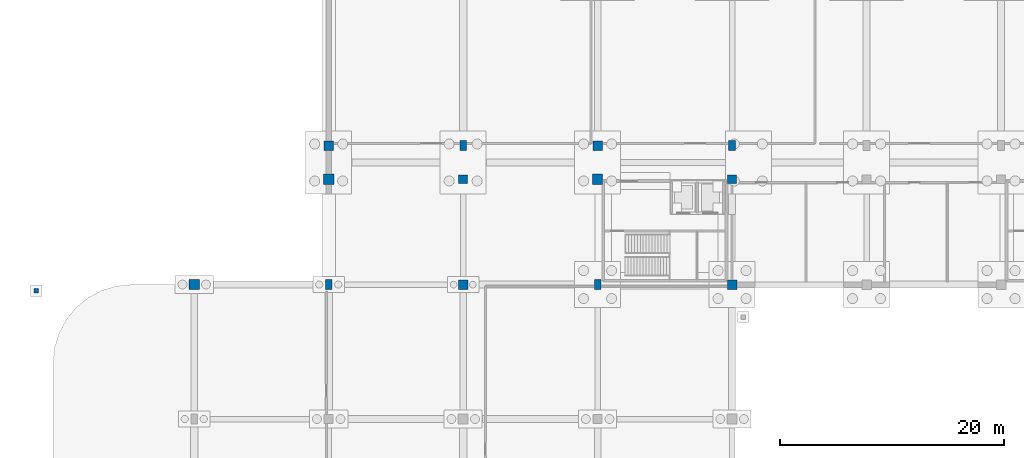
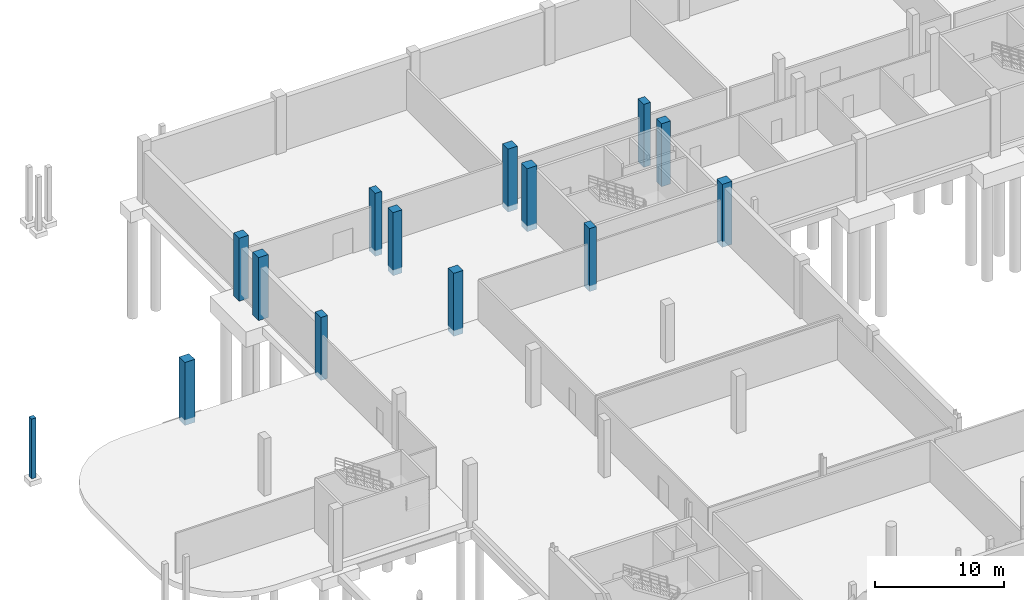
# One storey, part 19 of 42: 14 columns.
"""IFC4 building model written with IfcOpenShell, lengths in metres."""

from ifc_helpers import new_model, si_unit, direction, frame, origin, origin_2d, place, context, subcontext, project, spatial, rectangle, extrude, material, material_profile, profile_set, type_object, element, save


model = new_model("IFC4")

# Units and contexts
model_context = context("Model", 3, precision=1e-05, world=origin(), true_north=direction((0.0, 1.0)))
body_context = subcontext(model_context, "Body", "Model", "MODEL_VIEW")
ifc_project = project(units=[si_unit("LENGTHUNIT", "METRE"), si_unit("AREAUNIT", "SQUARE_METRE"), si_unit("VOLUMEUNIT", "CUBIC_METRE"), si_unit("PLANEANGLEUNIT", "RADIAN"), si_unit("MASSUNIT", "GRAM", prefix="KILO"), si_unit("THERMODYNAMICTEMPERATUREUNIT", "KELVIN"), si_unit("POWERUNIT", "WATT")], contexts=[model_context])

# Site, building, storey
site_placement = place(None, origin())
site = spatial("IfcSite", under=ifc_project, at=site_placement, CompositionType="ELEMENT")
building_placement = place(site_placement, origin())
building = spatial("IfcBuilding", under=site, at=building_placement, Name="Solmara Park Aquatics Centre", CompositionType="ELEMENT")
storey_placement = place(building_placement, frame((0.0, 0.0, -5.39990234375)))
storey = spatial("IfcBuildingStorey", under=building, at=storey_placement, Name="B1", CompositionType="ELEMENT", Elevation=-5.39990234375)

# Columns
ifc_material = material(Name="Concrete C40/50", Category="concrete")
ifc_material_profile_1 = material_profile(ifc_material, rectangle(XDim=0.39990234375, YDim=0.39990234375, at=origin_2d()), Name="RC 400x400")
ifc_profile_set_1 = profile_set([ifc_material_profile_1], Name="Concrete C40/50")
column_type_1 = type_object("IfcColumnType", Name="STR-COL-RC400", PredefinedType="COLUMN", material=ifc_profile_set_1)
column_placement = place(storey_placement, frame((-1.5, 108.050048828125, -0.550048828125), z_axis=(0.0, 0.0, 1.0), x_axis=(1.0, 0.0, 0.0)))
element("IfcColumn", 1, at=column_placement, inside=storey, type_object=column_type_1, Name="Apron Foundation Pier SLB-L00-APR-W-3", PredefinedType="COLUMN", context=body_context, shape_type="SweptSolid", body=[
    extrude(rectangle(XDim=0.39990234375, YDim=0.39990234375, at=origin_2d()), origin(), (0.0, 0.0, 1.0), 5.64990234375),
])
ifc_material_profile_2 = material_profile(ifc_material, rectangle(XDim=0.60009765625, YDim=0.89990234375, at=origin_2d()), Name="RC 600x900")
ifc_profile_set_2 = profile_set([ifc_material_profile_2], Name="Concrete C40/50")
column_type_2 = type_object("IfcColumnType", Name="STR-COL-RC600x900", PredefinedType="COLUMN", material=ifc_profile_set_2)
for number, where, z_axis, x_axis, name in (
    (2, (24.60009765625, 108.60009765625, -0.550048828125), (0.0, 0.0, 1.0), (1.0, 0.0, 0.0), "Column B1-0016"),
    (3, (36.60009765625, 121.0, -0.550048828125), (0.0, 0.0, 1.0), (1.0, 0.0, 0.0), "Column B1-0028"),
    (4, (48.60009765625, 108.60009765625, -0.550048828125), (0.0, 0.0, 1.0), (1.0, 0.0, 0.0), "Column B1-0036"),
    (5, (60.60009765625, 121.0, -0.550048828125), (0.0, 0.0, 1.0), (1.0, 0.0, 0.0), "Column B1-0048"),
):
    element("IfcColumn", number, at=place(storey_placement, frame(where, z_axis=z_axis, x_axis=x_axis)), inside=storey, type_object=column_type_2, Name=name, PredefinedType="COLUMN", context=body_context, shape_type="SweptSolid", body=[
        extrude(rectangle(XDim=0.60009765625, YDim=0.89990234375, at=origin_2d()), origin(), (0.0, 0.0, 1.0), 5.949951171875),
    ])
ifc_material_profile_3 = material_profile(ifc_material, rectangle(XDim=0.800048828125, YDim=0.800048828125, at=origin_2d()), Name="RC 800x800")
ifc_profile_set_3 = profile_set([ifc_material_profile_3], Name="Concrete C40/50")
column_type_3 = type_object("IfcColumnType", Name="STR-COL-RC800", PredefinedType="COLUMN", material=ifc_profile_set_3)
for number, where, z_axis, x_axis, name in (
    (6, (36.60009765625, 118.0, -0.550048828125), (0.0, 0.0, 1.0), (1.0, 0.0, 0.0), "Column B1-0027"),
    (7, (60.60009765625, 118.0, -0.550048828125), (0.0, 0.0, 1.0), (1.0, 0.0, 0.0), "Column B1-0047"),
):
    element("IfcColumn", number, at=place(storey_placement, frame(where, z_axis=z_axis, x_axis=x_axis)), inside=storey, type_object=column_type_3, Name=name, PredefinedType="COLUMN", context=body_context, shape_type="SweptSolid", body=[
        extrude(rectangle(XDim=0.800048828125, YDim=0.800048828125, at=origin_2d()), origin(), (0.0, 0.0, 1.0), 5.949951171875),
    ])
ifc_material_profile_4 = material_profile(ifc_material, rectangle(XDim=0.85009765625, YDim=0.85009765625, at=origin_2d()), Name="RC 850x850")
ifc_profile_set_4 = profile_set([ifc_material_profile_4], Name="Concrete C40/50")
column_type_4 = type_object("IfcColumnType", Name="STR-COL-RC850", PredefinedType="COLUMN", material=ifc_profile_set_4)
for number, where, z_axis, x_axis, name in (
    (8, (24.60009765625, 121.0, -0.550048828125), (0.0, 0.0, 1.0), (1.0, 0.0, 0.0), "Column B1-0018"),
    (9, (36.60009765625, 108.60009765625, -0.550048828125), (0.0, 0.0, 1.0), (1.0, 0.0, 0.0), "Column B1-0026"),
    (10, (48.60009765625, 121.0, -0.550048828125), (0.0, 0.0, 1.0), (1.0, 0.0, 0.0), "Column B1-0038"),
    (11, (60.60009765625, 108.60009765625, -0.550048828125), (0.0, 0.0, 1.0), (1.0, 0.0, 0.0), "Column B1-0046"),
):
    element("IfcColumn", number, at=place(storey_placement, frame(where, z_axis=z_axis, x_axis=x_axis)), inside=storey, type_object=column_type_4, Name=name, PredefinedType="COLUMN", context=body_context, shape_type="SweptSolid", body=[
        extrude(rectangle(XDim=0.85009765625, YDim=0.85009765625, at=origin_2d()), origin(), (0.0, 0.0, 1.0), 5.949951171875),
    ])
ifc_material_profile_5 = material_profile(ifc_material, rectangle(XDim=0.89990234375, YDim=0.89990234375, at=origin_2d()), Name="RC 900x900")
ifc_profile_set_5 = profile_set([ifc_material_profile_5], Name="Concrete C40/50")
column_type_5 = type_object("IfcColumnType", Name="STR-COL-RC900", PredefinedType="COLUMN", material=ifc_profile_set_5)
for number, where, z_axis, x_axis, name in (
    (12, (12.60009765625, 108.60009765625, -0.550048828125), (0.0, 0.0, 1.0), (1.0, 0.0, 0.0), "Column B1-0009"),
    (13, (24.60009765625, 118.0, -0.550048828125), (0.0, 0.0, 1.0), (1.0, 0.0, 0.0), "Column B1-0017"),
    (14, (48.60009765625, 118.0, -0.550048828125), (0.0, 0.0, 1.0), (1.0, 0.0, 0.0), "Column B1-0037"),
):
    element("IfcColumn", number, at=place(storey_placement, frame(where, z_axis=z_axis, x_axis=x_axis)), inside=storey, type_object=column_type_5, Name=name, PredefinedType="COLUMN", context=body_context, shape_type="SweptSolid", body=[
        extrude(rectangle(XDim=0.89990234375, YDim=0.89990234375, at=origin_2d()), origin(), (0.0, 0.0, 1.0), 5.949951171875),
    ])

save(model, "model.ifc")
